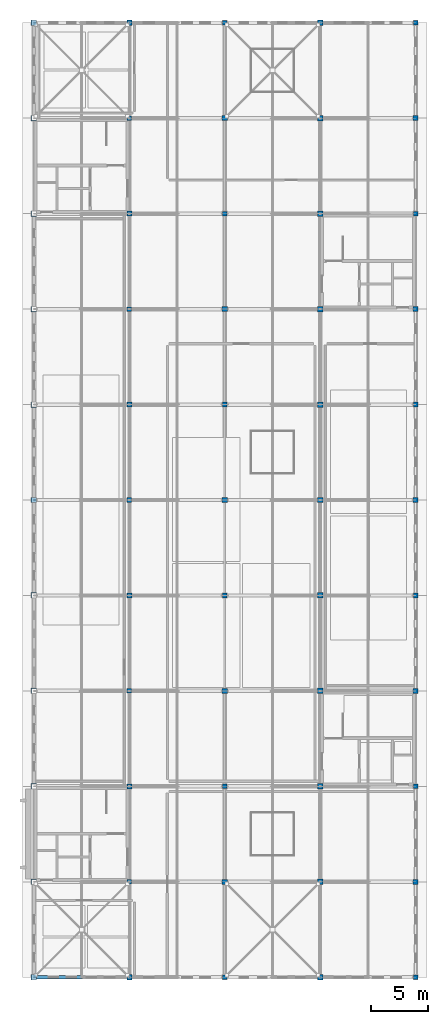
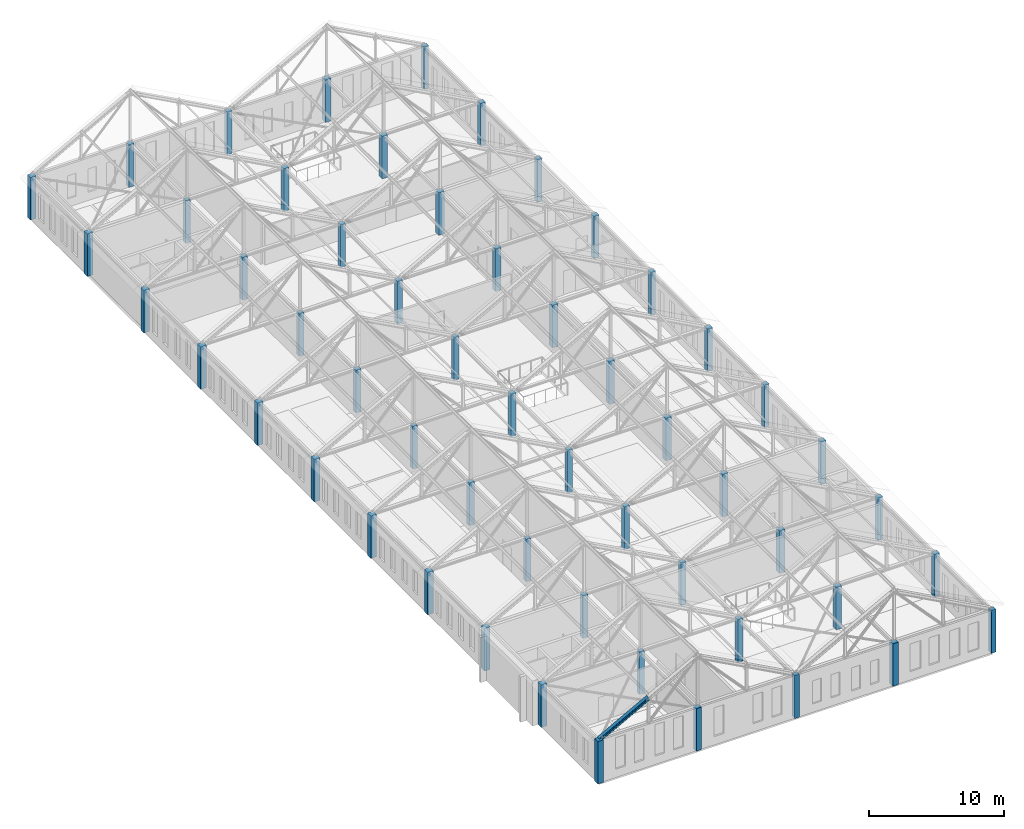
# One storey, part 1 of 36: 55 columns, 1 member.
"""IFC4 building model written with IfcOpenShell, lengths in metres."""

import ifcopenshell
import ifcopenshell.guid

model = None  # the IFC model being written
_history = None  # IfcOwnerHistory: only IFC2X3 demands one
_inside = {}  # id of a spatial element -> (the spatial element, [elements in it])
_under = {}  # id of a project, library or spatial element -> (it, [spatial elements below it])
_declared = {}  # id of a project -> (the project, [libraries it declares])
_typed = {}  # id of a type object -> (the type object, [elements of that type])
_made_of = {}  # id of a material, layer set ... -> (it, [elements and type objects made of it])


def new_model(schema):
    """Start an empty IFC model of exactly this schema.

    Asked for "IFC4X3", IfcOpenShell would pick the latest addendum, in which some entities
    have other attributes; the version numbers below select the first issue.
    IFC2X3 requires an IfcOwnerHistory on every rooted entity: one is made here for all.
    """
    global model, _history
    if schema == "IFC4X3":
        model = ifcopenshell.file(schema_version=(4, 3, 0, 0))
    else:
        model = ifcopenshell.file(schema=schema)
    _inside.clear()
    _under.clear()
    _declared.clear()
    _typed.clear()
    _made_of.clear()
    _history = None
    if model.schema == "IFC2X3":
        org = make("IfcOrganization", Name="unknown")
        user = make(
            "IfcPersonAndOrganization",
            ThePerson=make("IfcPerson", FamilyName="unknown"),
            TheOrganization=org,
        )
        app = make(
            "IfcApplication",
            ApplicationDeveloper=org,
            Version="unknown",
            ApplicationFullName="unknown",
            ApplicationIdentifier="unknown",
        )
        _history = make(
            "IfcOwnerHistory",
            OwningUser=user,
            OwningApplication=app,
            ChangeAction="ADDED",
            CreationDate=0,
        )
    return model


def make(cls, **values):
    """One entity of the class cls with the attributes given. An attribute that is None is left unset."""
    return model.create_entity(
        cls, **{name: value for name, value in values.items() if value is not None}
    )


def rooted(cls, **values):
    """An entity with a GlobalId (a new one), such as an element, a storey or a relation."""
    return make(cls, GlobalId=ifcopenshell.guid.new(), OwnerHistory=_history, **values)


def si_unit(unit_type, name, prefix=None):
    """IfcSIUnit, for example si_unit("LENGTHUNIT", "METRE", prefix="MILLI")."""
    return make("IfcSIUnit", UnitType=unit_type, Prefix=prefix, Name=name)


def assignment(units):
    """IfcUnitAssignment: the units of a project."""
    return None if units is None else make("IfcUnitAssignment", Units=units)


def point(xyz):
    """IfcCartesianPoint."""
    return None if xyz is None else make("IfcCartesianPoint", Coordinates=xyz)


def direction(xyz):
    """IfcDirection."""
    return None if xyz is None else make("IfcDirection", DirectionRatios=xyz)


def frame(location, z_axis=None, x_axis=None):
    """IfcAxis2Placement3D, a coordinate frame: its origin and axes. An axis left out is left unset."""
    return make(
        "IfcAxis2Placement3D",
        Location=point(location),
        Axis=direction(z_axis),
        RefDirection=direction(x_axis),
    )


def frame_2d(location, x_axis=None):
    """IfcAxis2Placement2D, a coordinate frame in the plane: its origin and x axis."""
    return make(
        "IfcAxis2Placement2D", Location=point(location), RefDirection=direction(x_axis)
    )


def origin():
    """The frame at (0, 0, 0) with its axes left unset."""
    return frame((0.0, 0.0, 0.0))


def origin_2d():
    """The frame at (0, 0) in the plane with its x axis left unset."""
    return frame_2d((0.0, 0.0))


def place(relative_to, where):
    """IfcLocalPlacement: puts the frame where relative to a parent placement (None: the world)."""
    return make(
        "IfcLocalPlacement", PlacementRelTo=relative_to, RelativePlacement=where
    )


def context(
    kind, dimensions, precision=None, world=None, true_north=None, identifier=None
):
    """IfcGeometricRepresentationContext, for example the 3D "Model" context."""
    return make(
        "IfcGeometricRepresentationContext",
        ContextIdentifier=identifier,
        ContextType=kind,
        CoordinateSpaceDimension=dimensions,
        Precision=precision,
        WorldCoordinateSystem=world,
        TrueNorth=true_north,
    )


def subcontext(parent, identifier, kind, view, scale=None):
    """IfcGeometricRepresentationSubContext, for example "Body" below "Model"."""
    return make(
        "IfcGeometricRepresentationSubContext",
        ContextIdentifier=identifier,
        ContextType=kind,
        ParentContext=parent,
        TargetScale=scale,
        TargetView=view,
    )


def project(units=None, contexts=None):
    """IfcProject with its units and contexts."""
    return rooted(
        "IfcProject",
        Name="project",
        RepresentationContexts=contexts,
        UnitsInContext=assignment(units),
    )


def spatial(cls, under=None, at=None, **own):
    """A site, building, storey or space (cls), placed at a placement, below another one or the project."""
    s = rooted(cls, ObjectPlacement=at, **own)
    if under is not None:
        _under.setdefault(under.id(), (under, []))[1].append(s)
    return s


def profile(cls, at=None, kind="AREA", **sizes):
    """A parametric profile (cls). Its sizes go by their IFC names, for example OverallWidth=200.0."""
    return make(cls, ProfileType=kind, Position=at, **sizes)


def rectangle(**sizes):
    """IfcRectangleProfileDef."""
    return profile("IfcRectangleProfileDef", **sizes)


def i_section(**sizes):
    """IfcIShapeProfileDef."""
    return profile("IfcIShapeProfileDef", **sizes)


def extrude(swept, where, along, depth):
    """IfcExtrudedAreaSolid: the profile swept, set in the frame where, extruded along a direction by depth."""
    return make(
        "IfcExtrudedAreaSolid",
        SweptArea=swept,
        Position=where,
        ExtrudedDirection=direction(along),
        Depth=depth,
    )


def shape(context_of_items, identifier, shape_type, items):
    """IfcShapeRepresentation: the items that make up one representation, for example the "Body"."""
    return make(
        "IfcShapeRepresentation",
        ContextOfItems=context_of_items,
        RepresentationIdentifier=identifier,
        RepresentationType=shape_type,
        Items=items,
    )


def material(Name=None, Category=None):
    """IfcMaterial."""
    return make("IfcMaterial", Name=Name, Category=Category)


def material_profile(
    of_material, cross_section, Name=None, Category=None, Priority=None
):
    """IfcMaterialProfile: a cross section and its material."""
    return make(
        "IfcMaterialProfile",
        Name=Name,
        Material=of_material,
        Profile=cross_section,
        Priority=Priority,
        Category=Category,
    )


def profile_set(profiles, Name=None, composite=None):
    """IfcMaterialProfileSet."""
    return make(
        "IfcMaterialProfileSet",
        Name=Name,
        MaterialProfiles=profiles,
        CompositeProfile=composite,
    )


def made_of(thing, what):
    """Note that an element or type object is made of a material, layer set ...; save() writes the relation."""
    if what is not None:
        _made_of.setdefault(what.id(), (what, []))[1].append(thing)
    return thing


def type_object(cls, material=None, **own):
    """A type object (cls), such as IfcWallType, which elements share."""
    return made_of(rooted(cls, **own), material)


def element(
    cls,
    number,
    at=None,
    inside=None,
    cuts=None,
    type_object=None,
    material=None,
    context=None,
    identifier="Body",
    shape_type=None,
    held_by="IfcProductDefinitionShape",
    body=None,
    shapes=None,
    **own,
):
    """One element of the class cls, such as IfcWall. Its Tag is "e" and its number.

    at: its placement. inside: the storey or other place that contains it. cuts: it is an
    opening in that element (IfcRelVoidsElement). A single representation is given by context,
    identifier, shape_type and body (its items); several are given by shapes. held_by: the class
    of the entity that holds the representations. save() writes the other relations.
    """
    e = rooted(cls, Tag="e%d" % number, ObjectPlacement=at, **own)
    if body is not None:
        shapes = [shape(context, identifier, shape_type, body)]
    if shapes is not None:
        e.Representation = make(held_by, Representations=shapes)
    if inside is not None:
        _inside.setdefault(inside.id(), (inside, []))[1].append(e)
    if cuts is not None:
        rooted(
            "IfcRelVoidsElement", RelatingBuildingElement=cuts, RelatedOpeningElement=e
        )
    if type_object is not None:
        _typed.setdefault(type_object.id(), (type_object, []))[1].append(e)
    return made_of(e, material)


def aggregate(whole, parts):
    """IfcRelAggregates: a whole, such as a stair, and the parts it consists of."""
    return rooted("IfcRelAggregates", RelatingObject=whole, RelatedObjects=parts)


def save(model, path):
    """Write the relations noted so far, then the file.

    IfcRelAggregates (storeys below a building ...), IfcRelContainedInSpatialStructure (elements
    in a storey), IfcRelDefinesByType, IfcRelAssociatesMaterial and IfcRelDeclares: one each for
    every whole, place, type object, material and project.
    """
    for whole, parts in _under.values():
        aggregate(whole, parts)
    for where, things in _inside.values():
        rooted(
            "IfcRelContainedInSpatialStructure",
            RelatedElements=things,
            RelatingStructure=where,
        )
    for kind, things in _typed.values():
        rooted("IfcRelDefinesByType", RelatedObjects=things, RelatingType=kind)
    for what, things in _made_of.values():
        rooted("IfcRelAssociatesMaterial", RelatedObjects=things, RelatingMaterial=what)
    for by, libraries in _declared.values():
        rooted("IfcRelDeclares", RelatingContext=by, RelatedDefinitions=libraries)
    model.write(path)


model = new_model("IFC4")

# Units and contexts
model_context = context("Model", 3, precision=1e-05, world=origin(), true_north=direction((0.0, 1.0)))
body_context = subcontext(model_context, "Body", "Model", "MODEL_VIEW")
ifc_project = project(units=[si_unit("LENGTHUNIT", "METRE"), si_unit("AREAUNIT", "SQUARE_METRE"), si_unit("VOLUMEUNIT", "CUBIC_METRE"), si_unit("PLANEANGLEUNIT", "RADIAN"), si_unit("MASSUNIT", "GRAM", prefix="KILO")], contexts=[model_context])

# Site, building, storey
site_placement = place(None, origin())
site = spatial("IfcSite", under=ifc_project, at=site_placement, CompositionType="ELEMENT")
building_placement = place(site_placement, origin())
building = spatial("IfcBuilding", under=site, at=building_placement, Name="Kveldsbrygga Polytechnic", CompositionType="ELEMENT")
storey_placement = place(building_placement, frame((0.0, 0.0, 26.179931640625)))
storey = spatial("IfcBuildingStorey", under=building, at=storey_placement, Name="L06", CompositionType="ELEMENT", Elevation=26.179931640625)

# Columns
ifc_material_1 = material(Name="Concrete C45/55", Category="concrete")
ifc_material_profile_1 = material_profile(ifc_material_1, rectangle(XDim=0.39990234375, YDim=0.39990234375, at=origin_2d()), Name="RC 400x400")
ifc_profile_set_1 = profile_set([ifc_material_profile_1], Name="Concrete C45/55")
column_type_1 = type_object("IfcColumnType", Name="COL-RC-400", PredefinedType="COLUMN", material=ifc_profile_set_1)
for number, where, z_axis, x_axis, name in (
    (1, (134.39990234375, 25.199951171875, 0.0), (0.0, 0.0, 1.0), (1.0, 0.0, 0.0), "Column COL-L06-16-03"),
    (2, (134.39990234375, 42.0, 0.0), (0.0, 0.0, 1.0), (1.0, 0.0, 0.0), "Column COL-L06-16-05"),
    (3, (134.39990234375, 58.800048828125, 0.0), (0.0, 0.0, 1.0), (1.0, 0.0, 0.0), "Column COL-L06-16-07"),
    (4, (134.39990234375, 75.60009765625, 0.0), (0.0, 0.0, 1.0), (1.0, 0.0, 0.0), "Column COL-L06-16-09"),
    (5, (134.39990234375, 92.39990234375, 0.0), (0.0, 0.0, 1.0), (1.0, 0.0, 0.0), "Column COL-L06-16-11"),
):
    element("IfcColumn", number, at=place(storey_placement, frame(where, z_axis=z_axis, x_axis=x_axis)), inside=storey, type_object=column_type_1, Name=name, PredefinedType="COLUMN", context=body_context, shape_type="SweptSolid", body=[
        extrude(rectangle(XDim=0.39990234375, YDim=0.39990234375, at=origin_2d()), origin(), (0.0, 0.0, 1.0), 3.840087890625),
    ])
ifc_material_profile_2 = material_profile(ifc_material_1, rectangle(XDim=0.419921875, YDim=0.419921875, at=origin_2d()), Name="RC 420x420")
ifc_profile_set_2 = profile_set([ifc_material_profile_2], Name="Concrete C45/55")
column_type_2 = type_object("IfcColumnType", Name="COL-RC-420", PredefinedType="COLUMN", material=ifc_profile_set_2)
for number, where, z_axis, x_axis, name in (
    (6, (142.800048828125, 16.800048828125, 0.0), (0.0, 0.0, 1.0), (1.0, 0.0, 0.0), "Column COL-L06-17-02"),
    (7, (142.800048828125, 33.60009765625, 0.0), (0.0, 0.0, 1.0), (1.0, 0.0, 0.0), "Column COL-L06-17-04"),
    (8, (142.800048828125, 50.39990234375, 0.0), (0.0, 0.0, 1.0), (1.0, 0.0, 0.0), "Column COL-L06-17-06"),
    (9, (142.800048828125, 67.199951171875, 0.0), (0.0, 0.0, 1.0), (1.0, 0.0, 0.0), "Column COL-L06-17-08"),
    (10, (142.800048828125, 84.0, 0.0), (0.0, 0.0, 1.0), (1.0, 0.0, 0.0), "Column COL-L06-17-10"),
    (11, (142.800048828125, 100.800048828125, 0.0), (0.0, 0.0, 1.0), (1.0, 0.0, 0.0), "Column COL-L06-17-12"),
    (12, (159.60009765625, 16.800048828125, 0.0), (0.0, 0.0, 1.0), (1.0, 0.0, 0.0), "Column COL-L06-19-02"),
    (13, (159.60009765625, 33.60009765625, 0.0), (0.0, 0.0, 1.0), (1.0, 0.0, 0.0), "Column COL-L06-19-04"),
    (14, (159.60009765625, 50.39990234375, 0.0), (0.0, 0.0, 1.0), (1.0, 0.0, 0.0), "Column COL-L06-19-06"),
    (15, (159.60009765625, 67.199951171875, 0.0), (0.0, 0.0, 1.0), (1.0, 0.0, 0.0), "Column COL-L06-19-08"),
    (16, (159.60009765625, 84.0, 0.0), (0.0, 0.0, 1.0), (1.0, 0.0, 0.0), "Column COL-L06-19-10"),
    (17, (159.60009765625, 100.800048828125, 0.0), (0.0, 0.0, 1.0), (1.0, 0.0, 0.0), "Column COL-L06-19-12"),
):
    element("IfcColumn", number, at=place(storey_placement, frame(where, z_axis=z_axis, x_axis=x_axis)), inside=storey, type_object=column_type_2, Name=name, PredefinedType="COLUMN", context=body_context, shape_type="SweptSolid", body=[
        extrude(rectangle(XDim=0.419921875, YDim=0.419921875, at=origin_2d()), origin(), (0.0, 0.0, 1.0), 3.840087890625),
    ])
ifc_material_profile_3 = material_profile(ifc_material_1, rectangle(XDim=0.449951171875, YDim=0.449951171875, at=origin_2d()), Name="RC 450x450")
ifc_profile_set_3 = profile_set([ifc_material_profile_3], Name="Concrete C45/55")
column_type_3 = type_object("IfcColumnType", Name="COL-RC-450", PredefinedType="COLUMN", material=ifc_profile_set_3)
for number, where, z_axis, x_axis, name in (
    (18, (134.39990234375, 16.800048828125, 0.0), (0.0, 0.0, 1.0), (1.0, 0.0, 0.0), "Column COL-L06-16-02"),
    (19, (134.39990234375, 33.60009765625, 0.0), (0.0, 0.0, 1.0), (1.0, 0.0, 0.0), "Column COL-L06-16-04"),
    (20, (134.39990234375, 50.39990234375, 0.0), (0.0, 0.0, 1.0), (1.0, 0.0, 0.0), "Column COL-L06-16-06"),
    (21, (134.39990234375, 67.199951171875, 0.0), (0.0, 0.0, 1.0), (1.0, 0.0, 0.0), "Column COL-L06-16-08"),
    (22, (134.39990234375, 84.0, 0.0), (0.0, 0.0, 1.0), (1.0, 0.0, 0.0), "Column COL-L06-16-10"),
    (23, (134.39990234375, 100.800048828125, 0.0), (0.0, 0.0, 1.0), (1.0, 0.0, 0.0), "Column COL-L06-16-12"),
    (24, (142.800048828125, 25.199951171875, 0.0), (0.0, 0.0, 1.0), (1.0, 0.0, 0.0), "Column COL-L06-17-03"),
    (25, (142.800048828125, 42.0, 0.0), (0.0, 0.0, 1.0), (1.0, 0.0, 0.0), "Column COL-L06-17-05"),
    (26, (142.800048828125, 58.800048828125, 0.0), (0.0, 0.0, 1.0), (1.0, 0.0, 0.0), "Column COL-L06-17-07"),
    (27, (142.800048828125, 75.60009765625, 0.0), (0.0, 0.0, 1.0), (1.0, 0.0, 0.0), "Column COL-L06-17-09"),
    (28, (142.800048828125, 92.39990234375, 0.0), (0.0, 0.0, 1.0), (1.0, 0.0, 0.0), "Column COL-L06-17-11"),
    (29, (159.60009765625, 25.199951171875, 0.0), (0.0, 0.0, 1.0), (1.0, 0.0, 0.0), "Column COL-L06-19-03"),
    (30, (159.60009765625, 42.0, 0.0), (0.0, 0.0, 1.0), (1.0, 0.0, 0.0), "Column COL-L06-19-05"),
    (31, (159.60009765625, 58.800048828125, 0.0), (0.0, 0.0, 1.0), (1.0, 0.0, 0.0), "Column COL-L06-19-07"),
    (32, (159.60009765625, 75.60009765625, 0.0), (0.0, 0.0, 1.0), (1.0, 0.0, 0.0), "Column COL-L06-19-09"),
    (33, (159.60009765625, 92.39990234375, 0.0), (0.0, 0.0, 1.0), (1.0, 0.0, 0.0), "Column COL-L06-19-11"),
):
    element("IfcColumn", number, at=place(storey_placement, frame(where, z_axis=z_axis, x_axis=x_axis)), inside=storey, type_object=column_type_3, Name=name, PredefinedType="COLUMN", context=body_context, shape_type="SweptSolid", body=[
        extrude(rectangle(XDim=0.449951171875, YDim=0.449951171875, at=origin_2d()), origin(), (0.0, 0.0, 1.0), 3.840087890625),
    ])
ifc_material_profile_4 = material_profile(ifc_material_1, rectangle(XDim=0.47998046875, YDim=0.47998046875, at=origin_2d()), Name="RC 480x480")
ifc_profile_set_4 = profile_set([ifc_material_profile_4], Name="Concrete C45/55")
column_type_4 = type_object("IfcColumnType", Name="COL-RC-480", PredefinedType="COLUMN", material=ifc_profile_set_4)
for number, where, z_axis, x_axis, name in (
    (34, (126.0, 16.800048828125, 0.0), (0.0, 0.0, 1.0), (1.0, 0.0, 0.0), "Column COL-L06-15-02"),
    (35, (126.0, 25.199951171875, 0.0), (0.0, 0.0, 1.0), (1.0, 0.0, 0.0), "Column COL-L06-15-03"),
    (36, (126.0, 33.60009765625, 0.0), (0.0, 0.0, 1.0), (1.0, 0.0, 0.0), "Column COL-L06-15-04"),
    (37, (126.0, 42.0, 0.0), (0.0, 0.0, 1.0), (1.0, 0.0, 0.0), "Column COL-L06-15-05"),
    (38, (126.0, 50.39990234375, 0.0), (0.0, 0.0, 1.0), (1.0, 0.0, 0.0), "Column COL-L06-15-06"),
    (39, (126.0, 58.800048828125, 0.0), (0.0, 0.0, 1.0), (1.0, 0.0, 0.0), "Column COL-L06-15-07"),
    (40, (126.0, 67.199951171875, 0.0), (0.0, 0.0, 1.0), (1.0, 0.0, 0.0), "Column COL-L06-15-08"),
    (41, (126.0, 75.60009765625, 0.0), (0.0, 0.0, 1.0), (1.0, 0.0, 0.0), "Column COL-L06-15-09"),
    (42, (126.0, 84.0, 0.0), (0.0, 0.0, 1.0), (1.0, 0.0, 0.0), "Column COL-L06-15-10"),
    (43, (126.0, 92.39990234375, 0.0), (0.0, 0.0, 1.0), (1.0, 0.0, 0.0), "Column COL-L06-15-11"),
    (44, (126.0, 100.800048828125, 0.0), (0.0, 0.0, 1.0), (1.0, 0.0, 0.0), "Column COL-L06-15-12"),
    (45, (151.199951171875, 16.800048828125, 0.0), (0.0, 0.0, 1.0), (1.0, 0.0, 0.0), "Column COL-L06-18-02"),
    (46, (151.199951171875, 25.199951171875, 0.0), (0.0, 0.0, 1.0), (1.0, 0.0, 0.0), "Column COL-L06-18-03"),
    (47, (151.199951171875, 33.60009765625, 0.0), (0.0, 0.0, 1.0), (1.0, 0.0, 0.0), "Column COL-L06-18-04"),
    (48, (151.199951171875, 42.0, 0.0), (0.0, 0.0, 1.0), (1.0, 0.0, 0.0), "Column COL-L06-18-05"),
    (49, (151.199951171875, 50.39990234375, 0.0), (0.0, 0.0, 1.0), (1.0, 0.0, 0.0), "Column COL-L06-18-06"),
    (50, (151.199951171875, 58.800048828125, 0.0), (0.0, 0.0, 1.0), (1.0, 0.0, 0.0), "Column COL-L06-18-07"),
    (51, (151.199951171875, 67.199951171875, 0.0), (0.0, 0.0, 1.0), (1.0, 0.0, 0.0), "Column COL-L06-18-08"),
    (52, (151.199951171875, 75.60009765625, 0.0), (0.0, 0.0, 1.0), (1.0, 0.0, 0.0), "Column COL-L06-18-09"),
    (53, (151.199951171875, 84.0, 0.0), (0.0, 0.0, 1.0), (1.0, 0.0, 0.0), "Column COL-L06-18-10"),
    (54, (151.199951171875, 92.39990234375, 0.0), (0.0, 0.0, 1.0), (1.0, 0.0, 0.0), "Column COL-L06-18-11"),
    (55, (151.199951171875, 100.800048828125, 0.0), (0.0, 0.0, 1.0), (1.0, 0.0, 0.0), "Column COL-L06-18-12"),
):
    element("IfcColumn", number, at=place(storey_placement, frame(where, z_axis=z_axis, x_axis=x_axis)), inside=storey, type_object=column_type_4, Name=name, PredefinedType="COLUMN", context=body_context, shape_type="SweptSolid", body=[
        extrude(rectangle(XDim=0.47998046875, YDim=0.47998046875, at=origin_2d()), origin(), (0.0, 0.0, 1.0), 3.840087890625),
    ])

# Member
ifc_material_2 = material(Name="Steel S355", Category="steel")
ifc_material_profile_5 = material_profile(ifc_material_2, i_section(OverallWidth=0.300048828125, OverallDepth=0.2900390625, WebThickness=0.008544921875, FlangeThickness=0.013916015625, FilletRadius=0.027099609375, at=origin_2d()), Name="HEA 300")
ifc_profile_set_5 = profile_set([ifc_material_profile_5], Name="Steel S355")
member_type = type_object("IfcMemberType", Name="TR-TOP-HEA300", PredefinedType="CHORD", material=ifc_profile_set_5)
member_placement = place(storey_placement, frame((126.0, 16.800048828125, 3.840087890625), z_axis=(0.879298209803, 0.0, 0.47627162233), x_axis=(0.0, 1.0, 0.0)))
element("IfcMember", 56, at=member_placement, inside=storey, type_object=member_type, Name="Truss Top Chord V4M1-T01-TC-1", PredefinedType="CHORD", context=body_context, shape_type="SweptSolid", body=[
    extrude(i_section(OverallWidth=0.300048828125, OverallDepth=0.2900390625, WebThickness=0.008544921875, FlangeThickness=0.013916015625, FilletRadius=0.027099609375, at=origin_2d()), origin(), (0.0, 0.0, 1.0), 4.7763671875),
])

save(model, "model.ifc")
